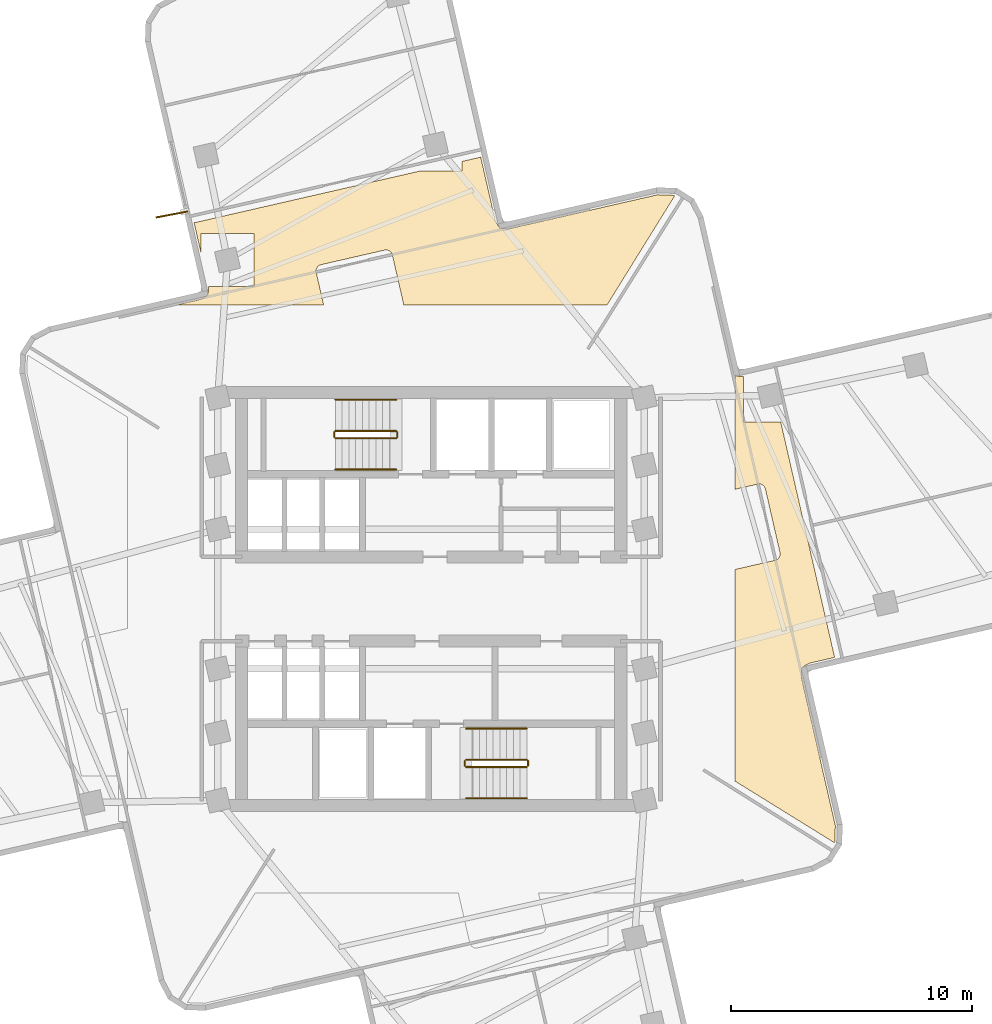
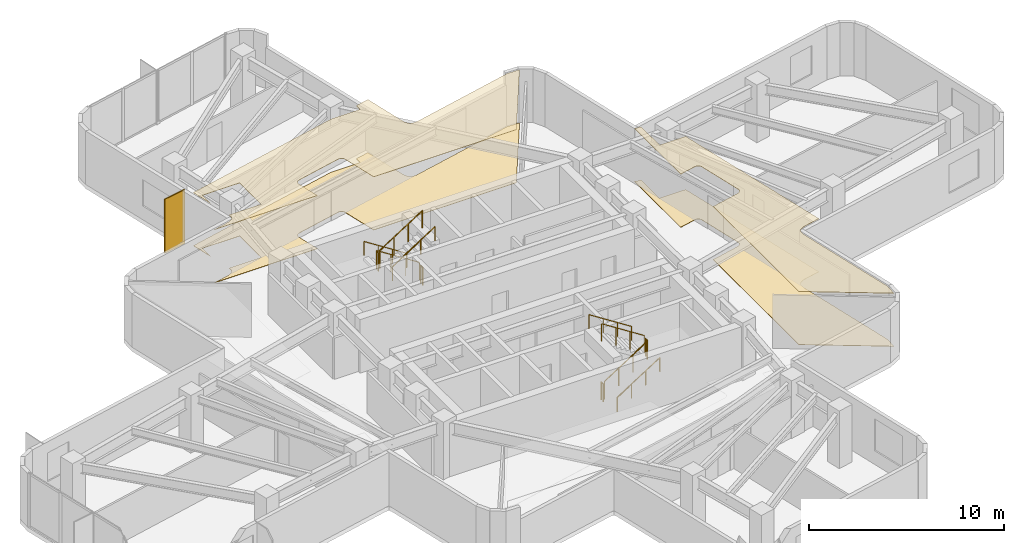
# One storey, part 10 of 11: 12 railings, 4 coverings, 1 shading device.
"""IFC4 building model written with IfcOpenShell, lengths in metres."""

from ifc_helpers import new_model, si_unit, direction, frame, origin, origin_2d, place, context, subcontext, project, spatial, polyline, rectangle, circle, outline, extrude, material, layer, layer_set, type_object, element, save


model = new_model("IFC4")

# Units and contexts
model_context = context("Model", 3, precision=1e-05, world=origin(), true_north=direction((0.0, 1.0)))
body_context = subcontext(model_context, "Body", "Model", "MODEL_VIEW")
ifc_project = project(units=[si_unit("LENGTHUNIT", "METRE"), si_unit("AREAUNIT", "SQUARE_METRE"), si_unit("VOLUMEUNIT", "CUBIC_METRE"), si_unit("PLANEANGLEUNIT", "RADIAN"), si_unit("MASSUNIT", "GRAM", prefix="KILO")], contexts=[model_context])

# Site, building, storey
site_placement = place(None, origin())
site = spatial("IfcSite", under=ifc_project, at=site_placement, CompositionType="ELEMENT")
building_placement = place(site_placement, origin())
building = spatial("IfcBuilding", under=site, at=building_placement, Name="Solmarez Civic Tower", CompositionType="ELEMENT")
storey_placement = place(building_placement, frame((0.0, 0.0, 119.8798828125)))
storey = spatial("IfcBuildingStorey", under=building, at=storey_placement, Name="L31", CompositionType="ELEMENT", Elevation=119.8798828125)

# Coverings
ifc_material_1 = material(Name="Perforated Mineral-Fibre Acoustic Ceiling")
ifc_layer_1 = layer(ifc_material_1, 0.02490234375)
ifc_layer_set_1 = layer_set([ifc_layer_1], Name="Perforated Mineral-Fibre Acoustic Ceiling")
covering_type_1 = type_object("IfcCoveringType", Name="COV-CEIL-ACOUSTIC", PredefinedType="CEILING", material=ifc_layer_set_1)
covering_1_placement = place(storey_placement, frame((0.0, 0.0, 3.315185546875)))
element("IfcCovering", 1, at=covering_1_placement, inside=storey, type_object=covering_type_1, Name="L31 Suspended Acoustic Ceiling 1", PredefinedType="CEILING", context=body_context, shape_type="SweptSolid", body=[
    extrude(outline(polyline([(-9.83203125, 15.60888671875), (-9.544921875, 14.35205078125), (-9.544921875, 15.1640625), (-7.344970703125, 15.1640625), (-7.344970703125, 12.964111328125), (-9.23388671875, 12.962890625), (-9.23388671875, 12.9560546875), (-9.23388671875, 12.947998046875), (-9.239990234375, 12.77587890625), (-9.241943359375, 12.7529296875), (-9.242919921875, 12.748046875), (-9.243896484375, 12.741943359375), (-9.24609375, 12.72509765625), (-9.25, 12.708984375), (-9.251953125, 12.701904296875), (-9.261962890625, 12.675048828125), (-9.264892578125, 12.66796875), (-9.26806640625, 12.660888671875), (-9.277099609375, 12.64306640625), (-9.287109375, 12.6259765625), (-9.291015625, 12.6201171875), (-9.304931640625, 12.60107421875), (-9.31005859375, 12.594970703125), (-9.31494140625, 12.589111328125), (-9.327880859375, 12.573974609375), (-9.343017578125, 12.56103515625), (-9.34912109375, 12.555908203125), (-9.367919921875, 12.5419921875), (-9.3740234375, 12.5380859375), (-9.386962890625, 12.530029296875), (-9.39404296875, 12.52587890625), (-9.39990234375, 12.52294921875), (-9.552001953125, 12.44189453125), (-9.556884765625, 12.43896484375), (-9.56298828125, 12.43603515625), (-9.591064453125, 12.424072265625), (-9.596923828125, 12.422119140625), (-9.60693359375, 12.4189453125), (-9.614013671875, 12.4169921875), (-9.625, 12.4150390625), (-10.56201171875, 12.199951171875), (-4.45703125, 12.199951171875), (-4.764892578125, 13.548095703125), (-4.76708984375, 13.553955078125), (-4.76806640625, 13.55908203125), (-4.77099609375, 13.580078125), (-4.77197265625, 13.60205078125), (-4.77197265625, 13.611083984375), (-4.77099609375, 13.633056640625), (-4.76806640625, 13.654052734375), (-4.76708984375, 13.658935546875), (-4.76611328125, 13.6640625), (-4.759033203125, 13.69091796875), (-4.756103515625, 13.699951171875), (-4.7470703125, 13.721923828125), (-4.736083984375, 13.742919921875), (-4.73291015625, 13.748046875), (-4.721923828125, 13.763916015625), (-4.7109375, 13.778076171875), (-4.7060546875, 13.783935546875), (-4.697998046875, 13.7939453125), (-4.68408203125, 13.80810546875), (-4.66796875, 13.821044921875), (-4.652099609375, 13.8330078125), (-4.64404296875, 13.837890625), (-4.615966796875, 13.85205078125), (-4.60693359375, 13.85595703125), (-4.60009765625, 13.85888671875), (-4.594970703125, 13.861083984375), (-4.5791015625, 13.866943359375), (-4.56201171875, 13.87109375), (-1.929931640625, 14.47412109375), (-1.924072265625, 14.47607421875), (-1.9189453125, 14.47705078125), (-1.89794921875, 14.47998046875), (-1.8759765625, 14.48095703125), (-1.866943359375, 14.48095703125), (-1.844970703125, 14.47998046875), (-1.823974609375, 14.47705078125), (-1.819091796875, 14.47607421875), (-1.81396484375, 14.47509765625), (-1.787109375, 14.468017578125), (-1.778076171875, 14.465087890625), (-1.756103515625, 14.4560546875), (-1.735107421875, 14.445068359375), (-1.72998046875, 14.44189453125), (-1.714111328125, 14.430908203125), (-1.699951171875, 14.419921875), (-1.694091796875, 14.4150390625), (-1.68408203125, 14.406982421875), (-1.669921875, 14.39306640625), (-1.656982421875, 14.376953125), (-1.64501953125, 14.361083984375), (-1.639892578125, 14.35302734375), (-1.6259765625, 14.324951171875), (-1.6220703125, 14.31591796875), (-1.618896484375, 14.30908203125), (-1.616943359375, 14.303955078125), (-1.611083984375, 14.2880859375), (-1.60693359375, 14.27099609375), (-1.132080078125, 12.199951171875), (7.301025390625, 12.199951171875), (10.116943359375, 16.742919921875), (10.111083984375, 16.74609375), (9.403076171875, 16.77294921875), (3.26708984375, 15.367919921875), (3.25390625, 15.364013671875), (3.23095703125, 15.360107421875), (3.20703125, 15.35888671875), (3.193115234375, 15.35888671875), (3.18505859375, 15.35888671875), (3.012939453125, 15.364990234375), (2.993896484375, 15.366943359375), (2.98193359375, 15.367919921875), (2.97509765625, 15.368896484375), (2.952880859375, 15.3740234375), (2.945068359375, 15.3759765625), (2.927978515625, 15.381103515625), (2.910888671875, 15.386962890625), (2.89697265625, 15.39306640625), (2.87890625, 15.402099609375), (2.862060546875, 15.412109375), (2.85595703125, 15.416015625), (2.8369140625, 15.429931640625), (2.8310546875, 15.43505859375), (2.824951171875, 15.43994140625), (2.81005859375, 15.452880859375), (2.797119140625, 15.468017578125), (2.7919921875, 15.47412109375), (2.778076171875, 15.492919921875), (2.77001953125, 15.5048828125), (2.759033203125, 15.52392578125), (2.677978515625, 15.676025390625), (2.669921875, 15.69189453125), (2.6669921875, 15.698974609375), (2.659912109375, 15.716064453125), (2.657958984375, 15.721923828125), (2.655029296875, 15.73193359375), (2.653076171875, 15.739013671875), (2.65087890625, 15.75), (2.06005859375, 18.33203125), (1.282958984375, 18.155029296875), (1.282958984375, 17.760009765625), (-0.43994140625, 17.760009765625), (-9.83203125, 15.60888671875)])), origin(), (0.0, 0.0, 1.0), 0.02490234375),
])
covering_2_placement = place(storey_placement, frame((0.0, 0.0, 3.315185546875)))
element("IfcCovering", 2, at=covering_2_placement, inside=storey, type_object=covering_type_1, Name="L31 Suspended Acoustic Ceiling 3", PredefinedType="CEILING", context=body_context, shape_type="SweptSolid", body=[
    extrude(outline(polyline([(12.60009765625, 4.548095703125), (13.548095703125, 4.764892578125), (13.553955078125, 4.76708984375), (13.55908203125, 4.76806640625), (13.580078125, 4.77099609375), (13.60205078125, 4.77197265625), (13.611083984375, 4.77197265625), (13.633056640625, 4.77099609375), (13.654052734375, 4.76806640625), (13.658935546875, 4.76708984375), (13.6640625, 4.76611328125), (13.69091796875, 4.759033203125), (13.699951171875, 4.756103515625), (13.721923828125, 4.7470703125), (13.742919921875, 4.736083984375), (13.748046875, 4.73291015625), (13.763916015625, 4.721923828125), (13.778076171875, 4.7109375), (13.783935546875, 4.7060546875), (13.7939453125, 4.697998046875), (13.80810546875, 4.68408203125), (13.821044921875, 4.66796875), (13.8330078125, 4.652099609375), (13.837890625, 4.64404296875), (13.85205078125, 4.615966796875), (13.85595703125, 4.60693359375), (13.85888671875, 4.60009765625), (13.861083984375, 4.594970703125), (13.866943359375, 4.5791015625), (13.87109375, 4.56201171875), (14.47412109375, 1.929931640625), (14.47607421875, 1.924072265625), (14.47705078125, 1.9189453125), (14.47998046875, 1.89794921875), (14.48095703125, 1.8759765625), (14.48095703125, 1.866943359375), (14.47998046875, 1.844970703125), (14.47705078125, 1.823974609375), (14.47607421875, 1.819091796875), (14.47509765625, 1.81396484375), (14.468017578125, 1.787109375), (14.465087890625, 1.778076171875), (14.4560546875, 1.756103515625), (14.445068359375, 1.735107421875), (14.44189453125, 1.72998046875), (14.430908203125, 1.714111328125), (14.419921875, 1.699951171875), (14.4150390625, 1.694091796875), (14.406982421875, 1.68408203125), (14.39306640625, 1.669921875), (14.376953125, 1.656982421875), (14.361083984375, 1.64501953125), (14.35302734375, 1.639892578125), (14.324951171875, 1.6259765625), (14.31591796875, 1.6220703125), (14.30908203125, 1.618896484375), (14.303955078125, 1.616943359375), (14.2880859375, 1.611083984375), (14.27099609375, 1.60693359375), (12.60009765625, 1.222900390625), (12.60009765625, -7.550048828125), (16.742919921875, -10.116943359375), (16.74609375, -10.111083984375), (16.77294921875, -9.403076171875), (15.367919921875, -3.26708984375), (15.364013671875, -3.25390625), (15.360107421875, -3.23095703125), (15.35888671875, -3.20703125), (15.35888671875, -3.193115234375), (15.35888671875, -3.18505859375), (15.364990234375, -3.012939453125), (15.366943359375, -2.993896484375), (15.367919921875, -2.98193359375), (15.368896484375, -2.97509765625), (15.3740234375, -2.952880859375), (15.3759765625, -2.945068359375), (15.381103515625, -2.927978515625), (15.386962890625, -2.910888671875), (15.39306640625, -2.89697265625), (15.402099609375, -2.87890625), (15.412109375, -2.862060546875), (15.416015625, -2.85595703125), (15.429931640625, -2.8369140625), (15.43505859375, -2.8310546875), (15.43994140625, -2.824951171875), (15.452880859375, -2.81005859375), (15.468017578125, -2.797119140625), (15.47412109375, -2.7919921875), (15.492919921875, -2.778076171875), (15.5048828125, -2.77001953125), (15.52392578125, -2.759033203125), (15.676025390625, -2.677978515625), (15.69189453125, -2.669921875), (15.698974609375, -2.6669921875), (15.716064453125, -2.659912109375), (15.721923828125, -2.657958984375), (15.73193359375, -2.655029296875), (15.739013671875, -2.653076171875), (15.75, -2.65087890625), (16.742919921875, -2.423095703125), (14.506103515625, 7.344970703125), (12.964111328125, 7.344970703125), (12.962890625, 9.23388671875), (12.9560546875, 9.23388671875), (12.947998046875, 9.23388671875), (12.77587890625, 9.239990234375), (12.7529296875, 9.241943359375), (12.748046875, 9.242919921875), (12.741943359375, 9.243896484375), (12.72509765625, 9.24609375), (12.708984375, 9.25), (12.701904296875, 9.251953125), (12.675048828125, 9.261962890625), (12.66796875, 9.264892578125), (12.660888671875, 9.26806640625), (12.64306640625, 9.277099609375), (12.6259765625, 9.287109375), (12.6201171875, 9.291015625), (12.60107421875, 9.304931640625), (12.60009765625, 4.548095703125)])), origin(), (0.0, 0.0, 1.0), 0.02490234375),
])
ifc_material_2 = material(Name="Polished Tropical Stone Terrazzo Flooring", Category="masonry")
ifc_layer_2 = layer(ifc_material_2, 0.02001953125)
ifc_layer_set_2 = layer_set([ifc_layer_2], Name="Polished Tropical Stone Terrazzo Flooring")
covering_type_2 = type_object("IfcCoveringType", Name="COV-FLOOR-TERRAZZO", PredefinedType="FLOORING", material=ifc_layer_set_2)
covering_3_placement = place(storey_placement, origin())
element("IfcCovering", 3, at=covering_3_placement, inside=storey, type_object=covering_type_2, Name="L31 Terrazzo Floor Finish 1", PredefinedType="FLOORING", context=body_context, shape_type="SweptSolid", body=[
    extrude(outline(polyline([(-9.83203125, 15.60888671875), (-9.544921875, 14.35205078125), (-9.544921875, 15.1640625), (-7.344970703125, 15.1640625), (-7.344970703125, 12.964111328125), (-9.23388671875, 12.962890625), (-9.23388671875, 12.9560546875), (-9.23388671875, 12.947998046875), (-9.239990234375, 12.77587890625), (-9.241943359375, 12.7529296875), (-9.242919921875, 12.748046875), (-9.243896484375, 12.741943359375), (-9.24609375, 12.72509765625), (-9.25, 12.708984375), (-9.251953125, 12.701904296875), (-9.261962890625, 12.675048828125), (-9.264892578125, 12.66796875), (-9.26806640625, 12.660888671875), (-9.277099609375, 12.64306640625), (-9.287109375, 12.6259765625), (-9.291015625, 12.6201171875), (-9.304931640625, 12.60107421875), (-9.31005859375, 12.594970703125), (-9.31494140625, 12.589111328125), (-9.327880859375, 12.573974609375), (-9.343017578125, 12.56103515625), (-9.34912109375, 12.555908203125), (-9.367919921875, 12.5419921875), (-9.3740234375, 12.5380859375), (-9.386962890625, 12.530029296875), (-9.39404296875, 12.52587890625), (-9.39990234375, 12.52294921875), (-9.552001953125, 12.44189453125), (-9.556884765625, 12.43896484375), (-9.56298828125, 12.43603515625), (-9.591064453125, 12.424072265625), (-9.596923828125, 12.422119140625), (-9.60693359375, 12.4189453125), (-9.614013671875, 12.4169921875), (-9.625, 12.4150390625), (-10.56201171875, 12.199951171875), (-4.45703125, 12.199951171875), (-4.764892578125, 13.548095703125), (-4.76708984375, 13.553955078125), (-4.76806640625, 13.55908203125), (-4.77099609375, 13.580078125), (-4.77197265625, 13.60205078125), (-4.77197265625, 13.611083984375), (-4.77099609375, 13.633056640625), (-4.76806640625, 13.654052734375), (-4.76708984375, 13.658935546875), (-4.76611328125, 13.6640625), (-4.759033203125, 13.69091796875), (-4.756103515625, 13.699951171875), (-4.7470703125, 13.721923828125), (-4.736083984375, 13.742919921875), (-4.73291015625, 13.748046875), (-4.721923828125, 13.763916015625), (-4.7109375, 13.778076171875), (-4.7060546875, 13.783935546875), (-4.697998046875, 13.7939453125), (-4.68408203125, 13.80810546875), (-4.66796875, 13.821044921875), (-4.652099609375, 13.8330078125), (-4.64404296875, 13.837890625), (-4.615966796875, 13.85205078125), (-4.60693359375, 13.85595703125), (-4.60009765625, 13.85888671875), (-4.594970703125, 13.861083984375), (-4.5791015625, 13.866943359375), (-4.56201171875, 13.87109375), (-1.929931640625, 14.47412109375), (-1.924072265625, 14.47607421875), (-1.9189453125, 14.47705078125), (-1.89794921875, 14.47998046875), (-1.8759765625, 14.48095703125), (-1.866943359375, 14.48095703125), (-1.844970703125, 14.47998046875), (-1.823974609375, 14.47705078125), (-1.819091796875, 14.47607421875), (-1.81396484375, 14.47509765625), (-1.787109375, 14.468017578125), (-1.778076171875, 14.465087890625), (-1.756103515625, 14.4560546875), (-1.735107421875, 14.445068359375), (-1.72998046875, 14.44189453125), (-1.714111328125, 14.430908203125), (-1.699951171875, 14.419921875), (-1.694091796875, 14.4150390625), (-1.68408203125, 14.406982421875), (-1.669921875, 14.39306640625), (-1.656982421875, 14.376953125), (-1.64501953125, 14.361083984375), (-1.639892578125, 14.35302734375), (-1.6259765625, 14.324951171875), (-1.6220703125, 14.31591796875), (-1.618896484375, 14.30908203125), (-1.616943359375, 14.303955078125), (-1.611083984375, 14.2880859375), (-1.60693359375, 14.27099609375), (-1.132080078125, 12.199951171875), (7.301025390625, 12.199951171875), (10.116943359375, 16.742919921875), (10.111083984375, 16.74609375), (9.403076171875, 16.77294921875), (3.26708984375, 15.367919921875), (3.25390625, 15.364013671875), (3.23095703125, 15.360107421875), (3.20703125, 15.35888671875), (3.193115234375, 15.35888671875), (3.18505859375, 15.35888671875), (3.012939453125, 15.364990234375), (2.993896484375, 15.366943359375), (2.98193359375, 15.367919921875), (2.97509765625, 15.368896484375), (2.952880859375, 15.3740234375), (2.945068359375, 15.3759765625), (2.927978515625, 15.381103515625), (2.910888671875, 15.386962890625), (2.89697265625, 15.39306640625), (2.87890625, 15.402099609375), (2.862060546875, 15.412109375), (2.85595703125, 15.416015625), (2.8369140625, 15.429931640625), (2.8310546875, 15.43505859375), (2.824951171875, 15.43994140625), (2.81005859375, 15.452880859375), (2.797119140625, 15.468017578125), (2.7919921875, 15.47412109375), (2.778076171875, 15.492919921875), (2.77001953125, 15.5048828125), (2.759033203125, 15.52392578125), (2.677978515625, 15.676025390625), (2.669921875, 15.69189453125), (2.6669921875, 15.698974609375), (2.659912109375, 15.716064453125), (2.657958984375, 15.721923828125), (2.655029296875, 15.73193359375), (2.653076171875, 15.739013671875), (2.65087890625, 15.75), (2.06005859375, 18.33203125), (1.282958984375, 18.155029296875), (1.282958984375, 17.760009765625), (-0.43994140625, 17.760009765625), (-9.83203125, 15.60888671875)])), origin(), (0.0, 0.0, 1.0), 0.02001953125),
])
covering_4_placement = place(storey_placement, origin())
element("IfcCovering", 4, at=covering_4_placement, inside=storey, type_object=covering_type_2, Name="L31 Terrazzo Floor Finish 3", PredefinedType="FLOORING", context=body_context, shape_type="SweptSolid", body=[
    extrude(outline(polyline([(12.60009765625, 4.548095703125), (13.548095703125, 4.764892578125), (13.553955078125, 4.76708984375), (13.55908203125, 4.76806640625), (13.580078125, 4.77099609375), (13.60205078125, 4.77197265625), (13.611083984375, 4.77197265625), (13.633056640625, 4.77099609375), (13.654052734375, 4.76806640625), (13.658935546875, 4.76708984375), (13.6640625, 4.76611328125), (13.69091796875, 4.759033203125), (13.699951171875, 4.756103515625), (13.721923828125, 4.7470703125), (13.742919921875, 4.736083984375), (13.748046875, 4.73291015625), (13.763916015625, 4.721923828125), (13.778076171875, 4.7109375), (13.783935546875, 4.7060546875), (13.7939453125, 4.697998046875), (13.80810546875, 4.68408203125), (13.821044921875, 4.66796875), (13.8330078125, 4.652099609375), (13.837890625, 4.64404296875), (13.85205078125, 4.615966796875), (13.85595703125, 4.60693359375), (13.85888671875, 4.60009765625), (13.861083984375, 4.594970703125), (13.866943359375, 4.5791015625), (13.87109375, 4.56201171875), (14.47412109375, 1.929931640625), (14.47607421875, 1.924072265625), (14.47705078125, 1.9189453125), (14.47998046875, 1.89794921875), (14.48095703125, 1.8759765625), (14.48095703125, 1.866943359375), (14.47998046875, 1.844970703125), (14.47705078125, 1.823974609375), (14.47607421875, 1.819091796875), (14.47509765625, 1.81396484375), (14.468017578125, 1.787109375), (14.465087890625, 1.778076171875), (14.4560546875, 1.756103515625), (14.445068359375, 1.735107421875), (14.44189453125, 1.72998046875), (14.430908203125, 1.714111328125), (14.419921875, 1.699951171875), (14.4150390625, 1.694091796875), (14.406982421875, 1.68408203125), (14.39306640625, 1.669921875), (14.376953125, 1.656982421875), (14.361083984375, 1.64501953125), (14.35302734375, 1.639892578125), (14.324951171875, 1.6259765625), (14.31591796875, 1.6220703125), (14.30908203125, 1.618896484375), (14.303955078125, 1.616943359375), (14.2880859375, 1.611083984375), (14.27099609375, 1.60693359375), (12.60009765625, 1.222900390625), (12.60009765625, -7.550048828125), (16.742919921875, -10.116943359375), (16.74609375, -10.111083984375), (16.77294921875, -9.403076171875), (15.367919921875, -3.26708984375), (15.364013671875, -3.25390625), (15.360107421875, -3.23095703125), (15.35888671875, -3.20703125), (15.35888671875, -3.193115234375), (15.35888671875, -3.18505859375), (15.364990234375, -3.012939453125), (15.366943359375, -2.993896484375), (15.367919921875, -2.98193359375), (15.368896484375, -2.97509765625), (15.3740234375, -2.952880859375), (15.3759765625, -2.945068359375), (15.381103515625, -2.927978515625), (15.386962890625, -2.910888671875), (15.39306640625, -2.89697265625), (15.402099609375, -2.87890625), (15.412109375, -2.862060546875), (15.416015625, -2.85595703125), (15.429931640625, -2.8369140625), (15.43505859375, -2.8310546875), (15.43994140625, -2.824951171875), (15.452880859375, -2.81005859375), (15.468017578125, -2.797119140625), (15.47412109375, -2.7919921875), (15.492919921875, -2.778076171875), (15.5048828125, -2.77001953125), (15.52392578125, -2.759033203125), (15.676025390625, -2.677978515625), (15.69189453125, -2.669921875), (15.698974609375, -2.6669921875), (15.716064453125, -2.659912109375), (15.721923828125, -2.657958984375), (15.73193359375, -2.655029296875), (15.739013671875, -2.653076171875), (15.75, -2.65087890625), (16.742919921875, -2.423095703125), (14.506103515625, 7.344970703125), (12.964111328125, 7.344970703125), (12.962890625, 9.23388671875), (12.9560546875, 9.23388671875), (12.947998046875, 9.23388671875), (12.77587890625, 9.239990234375), (12.7529296875, 9.241943359375), (12.748046875, 9.242919921875), (12.741943359375, 9.243896484375), (12.72509765625, 9.24609375), (12.708984375, 9.25), (12.701904296875, 9.251953125), (12.675048828125, 9.261962890625), (12.66796875, 9.264892578125), (12.660888671875, 9.26806640625), (12.64306640625, 9.277099609375), (12.6259765625, 9.287109375), (12.6201171875, 9.291015625), (12.60107421875, 9.304931640625), (12.60009765625, 4.548095703125)])), origin(), (0.0, 0.0, 1.0), 0.02001953125),
])

# Shading device
ifc_material_3 = material(Name="Bronze Anodised Aluminium EN AW-6063 T6", Category="aluminium")
ifc_layer_3 = layer(ifc_material_3, 0.06005859375)
ifc_layer_set_3 = layer_set([ifc_layer_3], Name="Bronze Anodised Aluminium EN AW-6063 T6")
shading_device_type = type_object("IfcShadingDeviceType", Name="FIN-BRONZE-Z34", PredefinedType="USERDEFINED", material=ifc_layer_set_3)
shading_device_placement = place(storey_placement, frame((-10.748046875, 15.955078125, -0.039794921875), z_axis=(0.0, 0.0, 1.0), x_axis=(-0.982515447041, -0.186181084768, 0.0)))
element("IfcShadingDevice", 5, at=shading_device_placement, inside=storey, type_object=shading_device_type, Name="L31 Anodised Bronze Solar Fin FIN-L31-04", ObjectType="FIN", PredefinedType="USERDEFINED", context=body_context, shape_type="SweptSolid", body=[
    extrude(rectangle(XDim=1.35009765625, YDim=0.06005859375, at=origin_2d()), origin(), (0.0, 0.0, 1.0), 3.3798828125),
])

# Railings
ifc_material_4 = material(Name="Painted Steel Stairwell Safety Guard", Category="steel")
railing_type_1 = type_object("IfcRailingType", Name="GUARD-STAIR-1120", PredefinedType="BALUSTRADE", material=ifc_material_4)
railing_1_placement = place(storey_placement, frame((-1.449951171875, 6.969970703125, 0.18017578125)))
element("IfcRailing", 6, at=railing_1_placement, inside=storey, type_object=railing_type_1, Name="L31 ST-1 stair guard 1", PredefinedType="BALUSTRADE", context=body_context, shape_type="SweptSolid", body=[
    extrude(circle(Radius=0.02392578125, at=origin_2d()), frame((0.0, 0.0, 1.09619140625), z_axis=(-0.841199657755, 0.0, 0.540724639528), x_axis=(0.0, -1.0, 0.0)), (0.0, 0.0, 1.0), 2.995849609375),
    extrude(circle(Radius=0.02099609375, at=origin_2d()), origin(), (0.0, 0.0, 1.0), 1.072021484375),
    extrude(circle(Radius=0.02099609375, at=origin_2d()), frame((-0.840087890625, 0.0, 0.5400390625)), (0.0, 0.0, 1.0), 1.072021484375),
    extrude(circle(Radius=0.02099609375, at=origin_2d()), frame((-1.679931640625, 0.0, 1.079833984375)), (0.0, 0.0, 1.0), 1.072021484375),
    extrude(circle(Radius=0.02099609375, at=origin_2d()), frame((-2.52001953125, 0.0, 1.619873046875)), (0.0, 0.0, 1.0), 1.072021484375),
])
railing_2_placement = place(storey_placement, frame((-4.02001953125, 6.919921875, 1.800048828125)))
element("IfcRailing", 7, at=railing_2_placement, inside=storey, type_object=railing_type_1, Name="L31 ST-1 stair guard 2", PredefinedType="BALUSTRADE", context=body_context, shape_type="SweptSolid", body=[
    extrude(circle(Radius=0.02392578125, at=origin_2d()), frame((0.0, 0.0, 1.09619140625), z_axis=(0.0, -1.0, 0.0), x_axis=(1.0, 0.0, 0.0)), (0.0, 0.0, 1.0), 0.199951171875),
    extrude(circle(Radius=0.02099609375, at=origin_2d()), origin(), (0.0, 0.0, 1.0), 1.072021484375),
    extrude(circle(Radius=0.02099609375, at=origin_2d()), frame((0.0, -0.199951171875, 0.0)), (0.0, 0.0, 1.0), 1.072021484375),
])
railing_3_placement = place(storey_placement, frame((-3.969970703125, 6.669921875, 1.980224609375)))
element("IfcRailing", 8, at=railing_3_placement, inside=storey, type_object=railing_type_1, Name="L31 ST-1 stair guard 3", PredefinedType="BALUSTRADE", context=body_context, shape_type="SweptSolid", body=[
    extrude(circle(Radius=0.02392578125, at=origin_2d()), frame((0.0, 0.0, 1.09619140625), z_axis=(0.841199657755, 0.0, 0.540724639528), x_axis=(0.0, 1.0, 0.0)), (0.0, 0.0, 1.0), 2.995849609375),
    extrude(circle(Radius=0.02099609375, at=origin_2d()), origin(), (0.0, 0.0, 1.0), 1.072021484375),
    extrude(circle(Radius=0.02099609375, at=origin_2d()), frame((0.840087890625, 0.0, 0.5400390625)), (0.0, 0.0, 1.0), 1.072021484375),
    extrude(circle(Radius=0.02099609375, at=origin_2d()), frame((1.679931640625, 0.0, 1.079833984375)), (0.0, 0.0, 1.0), 1.072021484375),
    extrude(circle(Radius=0.02099609375, at=origin_2d()), frame((2.52001953125, 0.0, 1.619873046875)), (0.0, 0.0, 1.0), 1.072021484375),
])
railing_4_placement = place(storey_placement, frame((-1.39990234375, 6.919921875, 0.0)))
element("IfcRailing", 9, at=railing_4_placement, inside=storey, type_object=railing_type_1, Name="L31 ST-1 stair guard 4", PredefinedType="BALUSTRADE", context=body_context, shape_type="SweptSolid", body=[
    extrude(circle(Radius=0.02392578125, at=origin_2d()), frame((0.0, 0.0, 1.09619140625), z_axis=(0.0, -1.0, 0.0), x_axis=(1.0, 0.0, 0.0)), (0.0, 0.0, 1.0), 0.199951171875),
    extrude(circle(Radius=0.02099609375, at=origin_2d()), origin(), (0.0, 0.0, 1.0), 1.072021484375),
    extrude(circle(Radius=0.02099609375, at=origin_2d()), frame((0.0, -0.199951171875, 0.0)), (0.0, 0.0, 1.0), 1.072021484375),
])
railing_5_placement = place(storey_placement, frame((1.449951171875, -6.969970703125, 0.18017578125)))
element("IfcRailing", 10, at=railing_5_placement, inside=storey, type_object=railing_type_1, Name="L31 ST-2 stair guard 1", PredefinedType="BALUSTRADE", context=body_context, shape_type="SweptSolid", body=[
    extrude(circle(Radius=0.02392578125, at=origin_2d()), frame((0.0, 0.0, 1.09619140625), z_axis=(0.841199657755, 0.0, 0.540724639528), x_axis=(0.0, 1.0, 0.0)), (0.0, 0.0, 1.0), 2.995849609375),
    extrude(circle(Radius=0.02099609375, at=origin_2d()), origin(), (0.0, 0.0, 1.0), 1.072021484375),
    extrude(circle(Radius=0.02099609375, at=origin_2d()), frame((0.840087890625, 0.0, 0.5400390625)), (0.0, 0.0, 1.0), 1.072021484375),
    extrude(circle(Radius=0.02099609375, at=origin_2d()), frame((1.679931640625, 0.0, 1.079833984375)), (0.0, 0.0, 1.0), 1.072021484375),
    extrude(circle(Radius=0.02099609375, at=origin_2d()), frame((2.52001953125, 0.0, 1.619873046875)), (0.0, 0.0, 1.0), 1.072021484375),
])
railing_6_placement = place(storey_placement, frame((4.02001953125, -6.919921875, 1.800048828125)))
element("IfcRailing", 11, at=railing_6_placement, inside=storey, type_object=railing_type_1, Name="L31 ST-2 stair guard 2", PredefinedType="BALUSTRADE", context=body_context, shape_type="SweptSolid", body=[
    extrude(circle(Radius=0.02392578125, at=origin_2d()), frame((0.0, 0.0, 1.09619140625), z_axis=(0.0, 1.0, 0.0), x_axis=(-1.0, 0.0, 0.0)), (0.0, 0.0, 1.0), 0.199951171875),
    extrude(circle(Radius=0.02099609375, at=origin_2d()), origin(), (0.0, 0.0, 1.0), 1.072021484375),
    extrude(circle(Radius=0.02099609375, at=origin_2d()), frame((0.0, 0.199951171875, 0.0)), (0.0, 0.0, 1.0), 1.072021484375),
])
railing_7_placement = place(storey_placement, frame((3.969970703125, -6.669921875, 1.980224609375)))
element("IfcRailing", 12, at=railing_7_placement, inside=storey, type_object=railing_type_1, Name="L31 ST-2 stair guard 3", PredefinedType="BALUSTRADE", context=body_context, shape_type="SweptSolid", body=[
    extrude(circle(Radius=0.02392578125, at=origin_2d()), frame((0.0, 0.0, 1.09619140625), z_axis=(-0.841199657755, 0.0, 0.540724639528), x_axis=(0.0, -1.0, 0.0)), (0.0, 0.0, 1.0), 2.995849609375),
    extrude(circle(Radius=0.02099609375, at=origin_2d()), origin(), (0.0, 0.0, 1.0), 1.072021484375),
    extrude(circle(Radius=0.02099609375, at=origin_2d()), frame((-0.840087890625, 0.0, 0.5400390625)), (0.0, 0.0, 1.0), 1.072021484375),
    extrude(circle(Radius=0.02099609375, at=origin_2d()), frame((-1.679931640625, 0.0, 1.079833984375)), (0.0, 0.0, 1.0), 1.072021484375),
    extrude(circle(Radius=0.02099609375, at=origin_2d()), frame((-2.52001953125, 0.0, 1.619873046875)), (0.0, 0.0, 1.0), 1.072021484375),
])
railing_8_placement = place(storey_placement, frame((1.39990234375, -6.919921875, 0.0)))
element("IfcRailing", 13, at=railing_8_placement, inside=storey, type_object=railing_type_1, Name="L31 ST-2 stair guard 4", PredefinedType="BALUSTRADE", context=body_context, shape_type="SweptSolid", body=[
    extrude(circle(Radius=0.02392578125, at=origin_2d()), frame((0.0, 0.0, 1.09619140625), z_axis=(0.0, 1.0, 0.0), x_axis=(-1.0, 0.0, 0.0)), (0.0, 0.0, 1.0), 0.199951171875),
    extrude(circle(Radius=0.02099609375, at=origin_2d()), origin(), (0.0, 0.0, 1.0), 1.072021484375),
    extrude(circle(Radius=0.02099609375, at=origin_2d()), frame((0.0, 0.199951171875, 0.0)), (0.0, 0.0, 1.0), 1.072021484375),
])
ifc_material_5 = material(Name="Brushed Stainless Steel Tube Handrail", Category="steel")
railing_type_2 = type_object("IfcRailingType", Name="HANDRAIL-STAIR-900", PredefinedType="HANDRAIL", material=ifc_material_5)
railing_9_placement = place(storey_placement, frame((-1.449951171875, 8.27001953125, 0.18017578125)))
element("IfcRailing", 14, at=railing_9_placement, inside=storey, type_object=railing_type_2, Name="L31 ST-1 stair handrail 1", PredefinedType="HANDRAIL", context=body_context, shape_type="SweptSolid", body=[
    extrude(circle(Radius=0.02392578125, at=origin_2d()), frame((0.0, 0.0, 0.8759765625), z_axis=(-0.841199657755, 0.0, 0.540724639528), x_axis=(0.0, -1.0, 0.0)), (0.0, 0.0, 1.0), 2.995849609375),
    extrude(circle(Radius=0.02099609375, at=origin_2d()), origin(), (0.0, 0.0, 1.0), 0.851806640625),
    extrude(circle(Radius=0.02099609375, at=origin_2d()), frame((-0.840087890625, 0.0, 0.5400390625)), (0.0, 0.0, 1.0), 0.851806640625),
    extrude(circle(Radius=0.02099609375, at=origin_2d()), frame((-1.679931640625, 0.0, 1.079833984375)), (0.0, 0.0, 1.0), 0.851806640625),
    extrude(circle(Radius=0.02099609375, at=origin_2d()), frame((-2.52001953125, 0.0, 1.619873046875)), (0.0, 0.0, 1.0), 0.851806640625),
])
for number, where, name in (
    (15, (-3.969970703125, 5.3701171875, 1.980224609375), "L31 ST-1 stair handrail 2"),
    (16, (1.449951171875, -8.27001953125, 0.18017578125), "L31 ST-2 stair handrail 1"),
):
    element("IfcRailing", number, at=place(storey_placement, frame(where)), inside=storey, type_object=railing_type_2, Name=name, PredefinedType="HANDRAIL", context=body_context, shape_type="SweptSolid", body=[
        extrude(circle(Radius=0.02392578125, at=origin_2d()), frame((0.0, 0.0, 0.8759765625), z_axis=(0.841199657755, 0.0, 0.540724639528), x_axis=(0.0, 1.0, 0.0)), (0.0, 0.0, 1.0), 2.995849609375),
        extrude(circle(Radius=0.02099609375, at=origin_2d()), origin(), (0.0, 0.0, 1.0), 0.851806640625),
        extrude(circle(Radius=0.02099609375, at=origin_2d()), frame((0.840087890625, 0.0, 0.5400390625)), (0.0, 0.0, 1.0), 0.851806640625),
        extrude(circle(Radius=0.02099609375, at=origin_2d()), frame((1.679931640625, 0.0, 1.079833984375)), (0.0, 0.0, 1.0), 0.851806640625),
        extrude(circle(Radius=0.02099609375, at=origin_2d()), frame((2.52001953125, 0.0, 1.619873046875)), (0.0, 0.0, 1.0), 0.851806640625),
    ])
railing_10_placement = place(storey_placement, frame((3.969970703125, -5.3701171875, 1.980224609375)))
element("IfcRailing", 17, at=railing_10_placement, inside=storey, type_object=railing_type_2, Name="L31 ST-2 stair handrail 2", PredefinedType="HANDRAIL", context=body_context, shape_type="SweptSolid", body=[
    extrude(circle(Radius=0.02392578125, at=origin_2d()), frame((0.0, 0.0, 0.8759765625), z_axis=(-0.841199657755, 0.0, 0.540724639528), x_axis=(0.0, -1.0, 0.0)), (0.0, 0.0, 1.0), 2.995849609375),
    extrude(circle(Radius=0.02099609375, at=origin_2d()), origin(), (0.0, 0.0, 1.0), 0.851806640625),
    extrude(circle(Radius=0.02099609375, at=origin_2d()), frame((-0.840087890625, 0.0, 0.5400390625)), (0.0, 0.0, 1.0), 0.851806640625),
    extrude(circle(Radius=0.02099609375, at=origin_2d()), frame((-1.679931640625, 0.0, 1.079833984375)), (0.0, 0.0, 1.0), 0.851806640625),
    extrude(circle(Radius=0.02099609375, at=origin_2d()), frame((-2.52001953125, 0.0, 1.619873046875)), (0.0, 0.0, 1.0), 0.851806640625),
])

save(model, "model.ifc")
